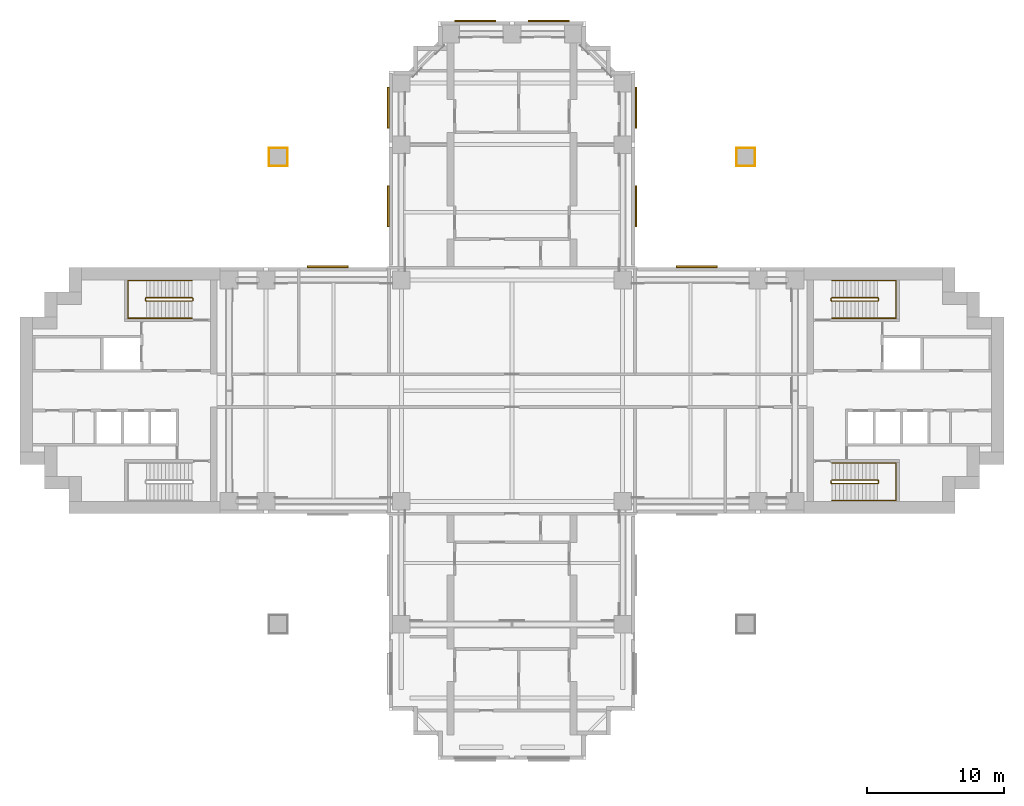
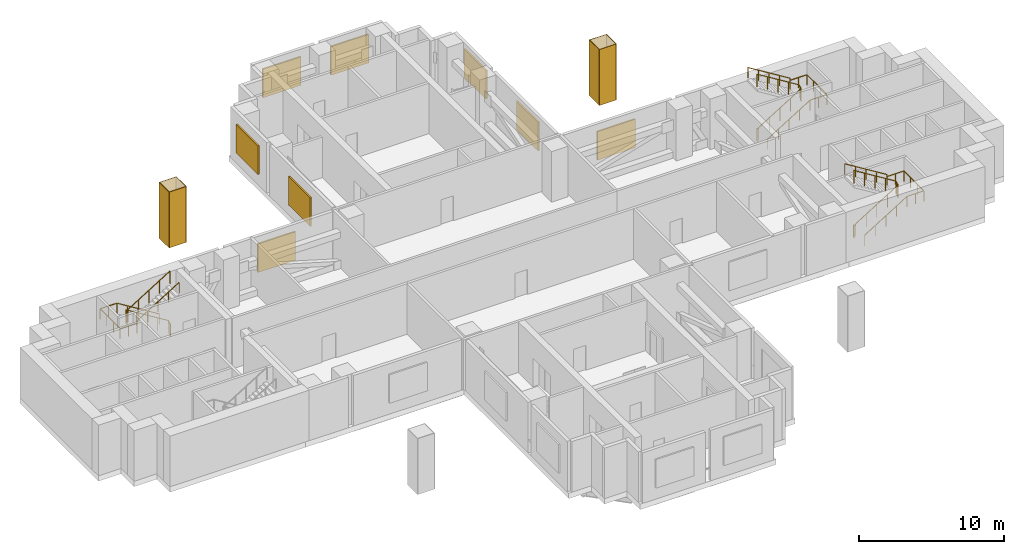
# One storey, part 10 of 10: 8 coverings, 8 shading devices, 6 railings.
"""IFC4 building model written with IfcOpenShell, lengths in metres."""

import ifcopenshell
import ifcopenshell.guid

model = None  # the IFC model being written
_history = None  # IfcOwnerHistory: only IFC2X3 demands one
_inside = {}  # id of a spatial element -> (the spatial element, [elements in it])
_under = {}  # id of a project, library or spatial element -> (it, [spatial elements below it])
_declared = {}  # id of a project -> (the project, [libraries it declares])
_typed = {}  # id of a type object -> (the type object, [elements of that type])
_made_of = {}  # id of a material, layer set ... -> (it, [elements and type objects made of it])


def new_model(schema):
    """Start an empty IFC model of exactly this schema.

    Asked for "IFC4X3", IfcOpenShell would pick the latest addendum, in which some entities
    have other attributes; the version numbers below select the first issue.
    IFC2X3 requires an IfcOwnerHistory on every rooted entity: one is made here for all.
    """
    global model, _history
    if schema == "IFC4X3":
        model = ifcopenshell.file(schema_version=(4, 3, 0, 0))
    else:
        model = ifcopenshell.file(schema=schema)
    _inside.clear()
    _under.clear()
    _declared.clear()
    _typed.clear()
    _made_of.clear()
    _history = None
    if model.schema == "IFC2X3":
        org = make("IfcOrganization", Name="unknown")
        user = make(
            "IfcPersonAndOrganization",
            ThePerson=make("IfcPerson", FamilyName="unknown"),
            TheOrganization=org,
        )
        app = make(
            "IfcApplication",
            ApplicationDeveloper=org,
            Version="unknown",
            ApplicationFullName="unknown",
            ApplicationIdentifier="unknown",
        )
        _history = make(
            "IfcOwnerHistory",
            OwningUser=user,
            OwningApplication=app,
            ChangeAction="ADDED",
            CreationDate=0,
        )
    return model


def make(cls, **values):
    """One entity of the class cls with the attributes given. An attribute that is None is left unset."""
    return model.create_entity(
        cls, **{name: value for name, value in values.items() if value is not None}
    )


def rooted(cls, **values):
    """An entity with a GlobalId (a new one), such as an element, a storey or a relation."""
    return make(cls, GlobalId=ifcopenshell.guid.new(), OwnerHistory=_history, **values)


def si_unit(unit_type, name, prefix=None):
    """IfcSIUnit, for example si_unit("LENGTHUNIT", "METRE", prefix="MILLI")."""
    return make("IfcSIUnit", UnitType=unit_type, Prefix=prefix, Name=name)


def assignment(units):
    """IfcUnitAssignment: the units of a project."""
    return None if units is None else make("IfcUnitAssignment", Units=units)


def point(xyz):
    """IfcCartesianPoint."""
    return None if xyz is None else make("IfcCartesianPoint", Coordinates=xyz)


def direction(xyz):
    """IfcDirection."""
    return None if xyz is None else make("IfcDirection", DirectionRatios=xyz)


def frame(location, z_axis=None, x_axis=None):
    """IfcAxis2Placement3D, a coordinate frame: its origin and axes. An axis left out is left unset."""
    return make(
        "IfcAxis2Placement3D",
        Location=point(location),
        Axis=direction(z_axis),
        RefDirection=direction(x_axis),
    )


def frame_2d(location, x_axis=None):
    """IfcAxis2Placement2D, a coordinate frame in the plane: its origin and x axis."""
    return make(
        "IfcAxis2Placement2D", Location=point(location), RefDirection=direction(x_axis)
    )


def origin():
    """The frame at (0, 0, 0) with its axes left unset."""
    return frame((0.0, 0.0, 0.0))


def origin_2d():
    """The frame at (0, 0) in the plane with its x axis left unset."""
    return frame_2d((0.0, 0.0))


def place(relative_to, where):
    """IfcLocalPlacement: puts the frame where relative to a parent placement (None: the world)."""
    return make(
        "IfcLocalPlacement", PlacementRelTo=relative_to, RelativePlacement=where
    )


def context(
    kind, dimensions, precision=None, world=None, true_north=None, identifier=None
):
    """IfcGeometricRepresentationContext, for example the 3D "Model" context."""
    return make(
        "IfcGeometricRepresentationContext",
        ContextIdentifier=identifier,
        ContextType=kind,
        CoordinateSpaceDimension=dimensions,
        Precision=precision,
        WorldCoordinateSystem=world,
        TrueNorth=true_north,
    )


def subcontext(parent, identifier, kind, view, scale=None):
    """IfcGeometricRepresentationSubContext, for example "Body" below "Model"."""
    return make(
        "IfcGeometricRepresentationSubContext",
        ContextIdentifier=identifier,
        ContextType=kind,
        ParentContext=parent,
        TargetScale=scale,
        TargetView=view,
    )


def project(units=None, contexts=None):
    """IfcProject with its units and contexts."""
    return rooted(
        "IfcProject",
        Name="project",
        RepresentationContexts=contexts,
        UnitsInContext=assignment(units),
    )


def spatial(cls, under=None, at=None, **own):
    """A site, building, storey or space (cls), placed at a placement, below another one or the project."""
    s = rooted(cls, ObjectPlacement=at, **own)
    if under is not None:
        _under.setdefault(under.id(), (under, []))[1].append(s)
    return s


def profile(cls, at=None, kind="AREA", **sizes):
    """A parametric profile (cls). Its sizes go by their IFC names, for example OverallWidth=200.0."""
    return make(cls, ProfileType=kind, Position=at, **sizes)


def rectangle(**sizes):
    """IfcRectangleProfileDef."""
    return profile("IfcRectangleProfileDef", **sizes)


def extrude(swept, where, along, depth):
    """IfcExtrudedAreaSolid: the profile swept, set in the frame where, extruded along a direction by depth."""
    return make(
        "IfcExtrudedAreaSolid",
        SweptArea=swept,
        Position=where,
        ExtrudedDirection=direction(along),
        Depth=depth,
    )


def shape(context_of_items, identifier, shape_type, items):
    """IfcShapeRepresentation: the items that make up one representation, for example the "Body"."""
    return make(
        "IfcShapeRepresentation",
        ContextOfItems=context_of_items,
        RepresentationIdentifier=identifier,
        RepresentationType=shape_type,
        Items=items,
    )


def material(Name=None, Category=None):
    """IfcMaterial."""
    return make("IfcMaterial", Name=Name, Category=Category)


def layer(
    of_material, thickness, ventilated=None, Name=None, Category=None, Priority=None
):
    """IfcMaterialLayer: one layer of a wall or slab, of a material (None: an air gap)."""
    return make(
        "IfcMaterialLayer",
        Material=of_material,
        LayerThickness=thickness,
        IsVentilated=ventilated,
        Name=Name,
        Category=Category,
        Priority=Priority,
    )


def layer_set(layers, Name=None):
    """IfcMaterialLayerSet."""
    return make("IfcMaterialLayerSet", MaterialLayers=layers, LayerSetName=Name)


def made_of(thing, what):
    """Note that an element or type object is made of a material, layer set ...; save() writes the relation."""
    if what is not None:
        _made_of.setdefault(what.id(), (what, []))[1].append(thing)
    return thing


def type_object(cls, material=None, **own):
    """A type object (cls), such as IfcWallType, which elements share."""
    return made_of(rooted(cls, **own), material)


def element(
    cls,
    number,
    at=None,
    inside=None,
    cuts=None,
    type_object=None,
    material=None,
    context=None,
    identifier="Body",
    shape_type=None,
    held_by="IfcProductDefinitionShape",
    body=None,
    shapes=None,
    **own,
):
    """One element of the class cls, such as IfcWall. Its Tag is "e" and its number.

    at: its placement. inside: the storey or other place that contains it. cuts: it is an
    opening in that element (IfcRelVoidsElement). A single representation is given by context,
    identifier, shape_type and body (its items); several are given by shapes. held_by: the class
    of the entity that holds the representations. save() writes the other relations.
    """
    e = rooted(cls, Tag="e%d" % number, ObjectPlacement=at, **own)
    if body is not None:
        shapes = [shape(context, identifier, shape_type, body)]
    if shapes is not None:
        e.Representation = make(held_by, Representations=shapes)
    if inside is not None:
        _inside.setdefault(inside.id(), (inside, []))[1].append(e)
    if cuts is not None:
        rooted(
            "IfcRelVoidsElement", RelatingBuildingElement=cuts, RelatedOpeningElement=e
        )
    if type_object is not None:
        _typed.setdefault(type_object.id(), (type_object, []))[1].append(e)
    return made_of(e, material)


def aggregate(whole, parts):
    """IfcRelAggregates: a whole, such as a stair, and the parts it consists of."""
    return rooted("IfcRelAggregates", RelatingObject=whole, RelatedObjects=parts)


def save(model, path):
    """Write the relations noted so far, then the file.

    IfcRelAggregates (storeys below a building ...), IfcRelContainedInSpatialStructure (elements
    in a storey), IfcRelDefinesByType, IfcRelAssociatesMaterial and IfcRelDeclares: one each for
    every whole, place, type object, material and project.
    """
    for whole, parts in _under.values():
        aggregate(whole, parts)
    for where, things in _inside.values():
        rooted(
            "IfcRelContainedInSpatialStructure",
            RelatedElements=things,
            RelatingStructure=where,
        )
    for kind, things in _typed.values():
        rooted("IfcRelDefinesByType", RelatedObjects=things, RelatingType=kind)
    for what, things in _made_of.values():
        rooted("IfcRelAssociatesMaterial", RelatedObjects=things, RelatingMaterial=what)
    for by, libraries in _declared.values():
        rooted("IfcRelDeclares", RelatingContext=by, RelatedDefinitions=libraries)
    model.write(path)


model = new_model("IFC4")

# Units and contexts
model_context = context("Model", 3, precision=1e-05, world=origin(), true_north=direction((0.0, 1.0)))
body_context = subcontext(model_context, "Body", "Model", "MODEL_VIEW")
ifc_project = project(units=[si_unit("LENGTHUNIT", "METRE"), si_unit("AREAUNIT", "SQUARE_METRE"), si_unit("VOLUMEUNIT", "CUBIC_METRE"), si_unit("PLANEANGLEUNIT", "RADIAN"), si_unit("MASSUNIT", "GRAM", prefix="KILO")], contexts=[model_context])

# Site, building, storey
site_placement = place(None, origin())
site = spatial("IfcSite", under=ifc_project, at=site_placement, CompositionType="ELEMENT")
building_placement = place(site_placement, origin())
building = spatial("IfcBuilding", under=site, at=building_placement, Name="Perihelion Cross Residences", CompositionType="ELEMENT")
storey_placement = place(building_placement, frame((0.0, 0.0, 97.89990234375)))
storey = spatial("IfcBuildingStorey", under=building, at=storey_placement, Name="L22", CompositionType="ELEMENT", Elevation=97.89990234375)

# Coverings
ifc_material_1 = material(Name="Bronze anodised aluminium", Category="aluminium")
ifc_layer_1 = layer(ifc_material_1, 0.0400390625)
ifc_layer_set_1 = layer_set([ifc_layer_1], Name="Bronze column casing 40")
covering_type = type_object("IfcCoveringType", Name="Bronze column casing 40", PredefinedType="CLADDING", material=ifc_layer_set_1)
covering_1_placement = place(storey_placement, frame((-17.77001953125, 17.10009765625, -0.44970703125), z_axis=(0.0, 0.0, 1.0), x_axis=(1.0, 0.0, 0.0)))
element("IfcCovering", 1, at=covering_1_placement, inside=storey, type_object=covering_type, Name="Cladding CC1 L22 casing east-west no. 2", PredefinedType="CLADDING", context=body_context, shape_type="SweptSolid", body=[
    extrude(rectangle(XDim=0.0400390625, YDim=1.3798828125, at=origin_2d()), origin(), (0.0, 0.0, 1.0), 4.699951171875),
])
covering_2_placement = place(storey_placement, frame((-17.10009765625, 17.77001953125, -0.44970703125), z_axis=(0.0, 0.0, 1.0), x_axis=(1.0, 0.0, 0.0)))
element("IfcCovering", 2, at=covering_2_placement, inside=storey, type_object=covering_type, Name="Cladding CC1 L22 casing north-south no. 2", PredefinedType="CLADDING", context=body_context, shape_type="SweptSolid", body=[
    extrude(rectangle(XDim=1.300048828125, YDim=0.0400390625, at=origin_2d()), origin(), (0.0, 0.0, 1.0), 4.699951171875),
])
covering_3_placement = place(storey_placement, frame((-16.429931640625, 17.10009765625, -0.44970703125), z_axis=(0.0, 0.0, 1.0), x_axis=(1.0, 0.0, 0.0)))
element("IfcCovering", 3, at=covering_3_placement, inside=storey, type_object=covering_type, Name="Cladding CC1 L22 casing inner east-west no. 2", PredefinedType="CLADDING", context=body_context, shape_type="SweptSolid", body=[
    extrude(rectangle(XDim=0.0400390625, YDim=1.3798828125, at=origin_2d()), origin(), (0.0, 0.0, 1.0), 4.699951171875),
])
covering_4_placement = place(storey_placement, frame((-17.10009765625, 16.429931640625, -0.44970703125), z_axis=(0.0, 0.0, 1.0), x_axis=(1.0, 0.0, 0.0)))
element("IfcCovering", 4, at=covering_4_placement, inside=storey, type_object=covering_type, Name="Cladding CC1 L22 casing inner north-south no. 2", PredefinedType="CLADDING", context=body_context, shape_type="SweptSolid", body=[
    extrude(rectangle(XDim=1.300048828125, YDim=0.0400390625, at=origin_2d()), origin(), (0.0, 0.0, 1.0), 4.699951171875),
])
covering_5_placement = place(storey_placement, frame((17.77001953125, 17.10009765625, -0.44970703125), z_axis=(0.0, 0.0, 1.0), x_axis=(1.0, 0.0, 0.0)))
element("IfcCovering", 5, at=covering_5_placement, inside=storey, type_object=covering_type, Name="Cladding CC1 L22 casing east-west no. 4", PredefinedType="CLADDING", context=body_context, shape_type="SweptSolid", body=[
    extrude(rectangle(XDim=0.0400390625, YDim=1.3798828125, at=origin_2d()), origin(), (0.0, 0.0, 1.0), 4.699951171875),
])
covering_6_placement = place(storey_placement, frame((17.10009765625, 17.77001953125, -0.44970703125), z_axis=(0.0, 0.0, 1.0), x_axis=(1.0, 0.0, 0.0)))
element("IfcCovering", 6, at=covering_6_placement, inside=storey, type_object=covering_type, Name="Cladding CC1 L22 casing north-south no. 4", PredefinedType="CLADDING", context=body_context, shape_type="SweptSolid", body=[
    extrude(rectangle(XDim=1.300048828125, YDim=0.0400390625, at=origin_2d()), origin(), (0.0, 0.0, 1.0), 4.699951171875),
])
covering_7_placement = place(storey_placement, frame((16.429931640625, 17.10009765625, -0.44970703125), z_axis=(0.0, 0.0, 1.0), x_axis=(1.0, 0.0, 0.0)))
element("IfcCovering", 7, at=covering_7_placement, inside=storey, type_object=covering_type, Name="Cladding CC1 L22 casing inner east-west no. 4", PredefinedType="CLADDING", context=body_context, shape_type="SweptSolid", body=[
    extrude(rectangle(XDim=0.0400390625, YDim=1.3798828125, at=origin_2d()), origin(), (0.0, 0.0, 1.0), 4.699951171875),
])
covering_8_placement = place(storey_placement, frame((17.10009765625, 16.429931640625, -0.44970703125), z_axis=(0.0, 0.0, 1.0), x_axis=(1.0, 0.0, 0.0)))
element("IfcCovering", 8, at=covering_8_placement, inside=storey, type_object=covering_type, Name="Cladding CC1 L22 casing inner north-south no. 4", PredefinedType="CLADDING", context=body_context, shape_type="SweptSolid", body=[
    extrude(rectangle(XDim=1.300048828125, YDim=0.0400390625, at=origin_2d()), origin(), (0.0, 0.0, 1.0), 4.699951171875),
])

# Shading devices
ifc_material_2 = material(Name="Bronze anodised aluminium", Category="aluminium")
ifc_layer_2 = layer(ifc_material_2, 0.1201171875)
ifc_layer_set_2 = layer_set([ifc_layer_2], Name="Louvre panel")
shading_device_type = type_object("IfcShadingDeviceType", Name="Louvre panel", PredefinedType="USERDEFINED", material=ifc_layer_set_2)
for number, where, z_axis, x_axis, name in (
    (9, (13.5, 9.06005859375, 1.000244140625), (0.0, 0.0, 1.0), (-1.0, 0.0, 0.0), "Louvre LV1 L22 east side north bay 2"),
    (10, (9.06005859375, 13.5, 1.000244140625), (0.0, 0.0, 1.0), (0.0, 1.0, 0.0), "Louvre LV1 L22 north side east bay 1"),
    (11, (9.06005859375, 20.699951171875, 1.000244140625), (0.0, 0.0, 1.0), (0.0, 1.0, 0.0), "Louvre LV1 L22 north side east bay 2"),
    (12, (2.699951171875, 27.06005859375, 1.000244140625), (0.0, 0.0, 1.0), (-1.0, 0.0, 0.0), "Louvre LV1 L22 north tip north bay 1"),
    (13, (-2.699951171875, 27.06005859375, 1.000244140625), (0.0, 0.0, 1.0), (-1.0, 0.0, 0.0), "Louvre LV1 L22 north tip north bay 2"),
    (14, (-9.06005859375, 20.699951171875, 1.000244140625), (0.0, 0.0, 1.0), (0.0, -1.0, 0.0), "Louvre LV1 L22 north side west bay 1"),
    (15, (-9.06005859375, 13.5, 1.000244140625), (0.0, 0.0, 1.0), (0.0, -1.0, 0.0), "Louvre LV1 L22 north side west bay 2"),
    (16, (-13.5, 9.06005859375, 1.000244140625), (0.0, 0.0, 1.0), (-1.0, 0.0, 0.0), "Louvre LV1 L22 west side north bay 1"),
):
    element("IfcShadingDevice", number, at=place(storey_placement, frame(where, z_axis=z_axis, x_axis=x_axis)), inside=storey, type_object=shading_device_type, Name=name, ObjectType="LOUVRE", PredefinedType="USERDEFINED", context=body_context, shape_type="SweptSolid", body=[
        extrude(rectangle(XDim=3.0, YDim=0.1201171875, at=origin_2d()), origin(), (0.0, 0.0, 1.0), 2.39990234375),
    ])

# Railings
ifc_material_3 = material(Name="Stainless steel", Category="steel")
railing_type_1 = type_object("IfcRailingType", Name="Stair guard 1100", PredefinedType="GUARDRAIL", material=ifc_material_3)
railing_1_placement = place(storey_placement, frame((23.35009765625, 6.75, 0.0)))
element("IfcRailing", 17, at=railing_1_placement, inside=storey, type_object=railing_type_1, Name="L22 ST-E1 stair guard 1", PredefinedType="GUARDRAIL", context=body_context, shape_type="SweptSolid", body=[
    extrude(rectangle(XDim=0.048095703125, YDim=0.048095703125, at=origin_2d()), frame((0.0, 0.0, 1.076171875), z_axis=(0.0, -1.0, 0.0), x_axis=(1.0, 0.0, 0.0)), (0.0, 0.0, 1.0), 0.14990234375),
    extrude(rectangle(XDim=0.048095703125, YDim=0.048095703125, at=origin_2d()), frame((0.0, -0.14990234375, 1.076171875), z_axis=(0.266417085129, -0.267723051232, 0.925929967433), x_axis=(0.708833529934, 0.705375805398, 0.0)), (0.0, 0.0, 1.0), 0.18701171875),
    extrude(rectangle(XDim=0.048095703125, YDim=0.048095703125, at=origin_2d()), frame((0.0498046875, -0.199951171875, 1.2490234375), z_axis=(0.850623216509, 0.0, 0.525775754039), x_axis=(0.0, 1.0, 0.0)), (0.0, 0.0, 1.0), 3.9501953125),
    extrude(rectangle(XDim=0.048095703125, YDim=0.048095703125, at=origin_2d()), frame((3.409912109375, -0.199951171875, 3.326171875), z_axis=(0.707106781187, 0.707106781187, 0.0), x_axis=(-0.707106781187, 0.707106781187, 0.0)), (0.0, 0.0, 1.0), 0.07080078125),
    extrude(rectangle(XDim=0.048095703125, YDim=0.048095703125, at=origin_2d()), frame((3.4599609375, -0.14990234375, 3.326171875), z_axis=(0.0, 1.0, 0.0), x_axis=(-1.0, 0.0, 0.0)), (0.0, 0.0, 1.0), 0.14990234375),
    extrude(rectangle(XDim=0.048095703125, YDim=0.048095703125, at=origin_2d()), frame((3.4599609375, 0.0, 3.326171875), z_axis=(-0.267629722418, 0.267629722418, 0.925607186314), x_axis=(-0.707106781187, -0.707106781187, 0.0)), (0.0, 0.0, 1.0), 0.18701171875),
    extrude(rectangle(XDim=0.048095703125, YDim=0.048095703125, at=origin_2d()), frame((3.409912109375, 0.050048828125, 3.4990234375), z_axis=(-0.850623216509, 0.0, 0.525775754039), x_axis=(0.0, -1.0, 0.0)), (0.0, 0.0, 1.0), 3.9501953125),
    extrude(rectangle(XDim=0.0419921875, YDim=0.0419921875, at=origin_2d()), origin(), (0.0, 0.0, 1.0), 1.052001953125),
    extrude(rectangle(XDim=0.0419921875, YDim=0.0419921875, at=origin_2d()), frame((0.0, -0.14990234375, 0.0)), (0.0, 0.0, 1.0), 1.052001953125),
    extrude(rectangle(XDim=0.0419921875, YDim=0.0419921875, at=origin_2d()), frame((0.0498046875, -0.199951171875, 0.173095703125)), (0.0, 0.0, 1.0), 1.052001953125),
    extrude(rectangle(XDim=0.0419921875, YDim=0.0419921875, at=origin_2d()), frame((0.889892578125, -0.199951171875, 0.6923828125)), (0.0, 0.0, 1.0), 1.052001953125),
    extrude(rectangle(XDim=0.0419921875, YDim=0.0419921875, at=origin_2d()), frame((1.72998046875, -0.199951171875, 1.21142578125)), (0.0, 0.0, 1.0), 1.052001953125),
    extrude(rectangle(XDim=0.0419921875, YDim=0.0419921875, at=origin_2d()), frame((2.56982421875, -0.199951171875, 1.730712890625)), (0.0, 0.0, 1.0), 1.052001953125),
    extrude(rectangle(XDim=0.0419921875, YDim=0.0419921875, at=origin_2d()), frame((3.409912109375, -0.199951171875, 2.25)), (0.0, 0.0, 1.0), 1.052001953125),
    extrude(rectangle(XDim=0.0419921875, YDim=0.0419921875, at=origin_2d()), frame((3.4599609375, -0.14990234375, 2.25)), (0.0, 0.0, 1.0), 1.052001953125),
    extrude(rectangle(XDim=0.0419921875, YDim=0.0419921875, at=origin_2d()), frame((3.4599609375, 0.0, 2.25)), (0.0, 0.0, 1.0), 1.052001953125),
    extrude(rectangle(XDim=0.0419921875, YDim=0.0419921875, at=origin_2d()), frame((3.409912109375, 0.050048828125, 2.423095703125)), (0.0, 0.0, 1.0), 1.052001953125),
    extrude(rectangle(XDim=0.0419921875, YDim=0.0419921875, at=origin_2d()), frame((2.56982421875, 0.050048828125, 2.9423828125)), (0.0, 0.0, 1.0), 1.052001953125),
    extrude(rectangle(XDim=0.0419921875, YDim=0.0419921875, at=origin_2d()), frame((1.72998046875, 0.050048828125, 3.46142578125)), (0.0, 0.0, 1.0), 1.052001953125),
    extrude(rectangle(XDim=0.0419921875, YDim=0.0419921875, at=origin_2d()), frame((0.889892578125, 0.050048828125, 3.980712890625)), (0.0, 0.0, 1.0), 1.052001953125),
    extrude(rectangle(XDim=0.0419921875, YDim=0.0419921875, at=origin_2d()), frame((0.0498046875, 0.050048828125, 4.5)), (0.0, 0.0, 1.0), 1.052001953125),
])
railing_2_placement = place(storey_placement, frame((23.35009765625, -6.60009765625, 0.0)))
element("IfcRailing", 18, at=railing_2_placement, inside=storey, type_object=railing_type_1, Name="L22 ST-E2 stair guard 1", PredefinedType="GUARDRAIL", context=body_context, shape_type="SweptSolid", body=[
    extrude(rectangle(XDim=0.048095703125, YDim=0.048095703125, at=origin_2d()), frame((0.0, 0.0, 1.076171875), z_axis=(0.0, -1.0, 0.0), x_axis=(1.0, 0.0, 0.0)), (0.0, 0.0, 1.0), 0.14990234375),
    extrude(rectangle(XDim=0.048095703125, YDim=0.048095703125, at=origin_2d()), frame((0.0, -0.14990234375, 1.076171875), z_axis=(0.266417085129, -0.267723051232, 0.925929967433), x_axis=(0.708833529934, 0.705375805398, 0.0)), (0.0, 0.0, 1.0), 0.18701171875),
    extrude(rectangle(XDim=0.048095703125, YDim=0.048095703125, at=origin_2d()), frame((0.0498046875, -0.199951171875, 1.2490234375), z_axis=(0.850623216509, 0.0, 0.525775754039), x_axis=(0.0, 1.0, 0.0)), (0.0, 0.0, 1.0), 3.9501953125),
    extrude(rectangle(XDim=0.048095703125, YDim=0.048095703125, at=origin_2d()), frame((3.409912109375, -0.199951171875, 3.326171875), z_axis=(0.707106781187, 0.707106781187, 0.0), x_axis=(-0.707106781187, 0.707106781187, 0.0)), (0.0, 0.0, 1.0), 0.07080078125),
    extrude(rectangle(XDim=0.048095703125, YDim=0.048095703125, at=origin_2d()), frame((3.4599609375, -0.14990234375, 3.326171875), z_axis=(0.0, 1.0, 0.0), x_axis=(-1.0, 0.0, 0.0)), (0.0, 0.0, 1.0), 0.14990234375),
    extrude(rectangle(XDim=0.048095703125, YDim=0.048095703125, at=origin_2d()), frame((3.4599609375, 0.0, 3.326171875), z_axis=(-0.267629722418, 0.267629722418, 0.925607186314), x_axis=(-0.707106781187, -0.707106781187, 0.0)), (0.0, 0.0, 1.0), 0.18701171875),
    extrude(rectangle(XDim=0.048095703125, YDim=0.048095703125, at=origin_2d()), frame((3.409912109375, 0.050048828125, 3.4990234375), z_axis=(-0.850623216509, 0.0, 0.525775754039), x_axis=(0.0, -1.0, 0.0)), (0.0, 0.0, 1.0), 3.9501953125),
    extrude(rectangle(XDim=0.0419921875, YDim=0.0419921875, at=origin_2d()), origin(), (0.0, 0.0, 1.0), 1.052001953125),
    extrude(rectangle(XDim=0.0419921875, YDim=0.0419921875, at=origin_2d()), frame((0.0, -0.14990234375, 0.0)), (0.0, 0.0, 1.0), 1.052001953125),
    extrude(rectangle(XDim=0.0419921875, YDim=0.0419921875, at=origin_2d()), frame((0.0498046875, -0.199951171875, 0.173095703125)), (0.0, 0.0, 1.0), 1.052001953125),
    extrude(rectangle(XDim=0.0419921875, YDim=0.0419921875, at=origin_2d()), frame((0.889892578125, -0.199951171875, 0.6923828125)), (0.0, 0.0, 1.0), 1.052001953125),
    extrude(rectangle(XDim=0.0419921875, YDim=0.0419921875, at=origin_2d()), frame((1.72998046875, -0.199951171875, 1.21142578125)), (0.0, 0.0, 1.0), 1.052001953125),
    extrude(rectangle(XDim=0.0419921875, YDim=0.0419921875, at=origin_2d()), frame((2.56982421875, -0.199951171875, 1.730712890625)), (0.0, 0.0, 1.0), 1.052001953125),
    extrude(rectangle(XDim=0.0419921875, YDim=0.0419921875, at=origin_2d()), frame((3.409912109375, -0.199951171875, 2.25)), (0.0, 0.0, 1.0), 1.052001953125),
    extrude(rectangle(XDim=0.0419921875, YDim=0.0419921875, at=origin_2d()), frame((3.4599609375, -0.14990234375, 2.25)), (0.0, 0.0, 1.0), 1.052001953125),
    extrude(rectangle(XDim=0.0419921875, YDim=0.0419921875, at=origin_2d()), frame((3.4599609375, 0.0, 2.25)), (0.0, 0.0, 1.0), 1.052001953125),
    extrude(rectangle(XDim=0.0419921875, YDim=0.0419921875, at=origin_2d()), frame((3.409912109375, 0.050048828125, 2.423095703125)), (0.0, 0.0, 1.0), 1.052001953125),
    extrude(rectangle(XDim=0.0419921875, YDim=0.0419921875, at=origin_2d()), frame((2.56982421875, 0.050048828125, 2.9423828125)), (0.0, 0.0, 1.0), 1.052001953125),
    extrude(rectangle(XDim=0.0419921875, YDim=0.0419921875, at=origin_2d()), frame((1.72998046875, 0.050048828125, 3.46142578125)), (0.0, 0.0, 1.0), 1.052001953125),
    extrude(rectangle(XDim=0.0419921875, YDim=0.0419921875, at=origin_2d()), frame((0.889892578125, 0.050048828125, 3.980712890625)), (0.0, 0.0, 1.0), 1.052001953125),
    extrude(rectangle(XDim=0.0419921875, YDim=0.0419921875, at=origin_2d()), frame((0.0498046875, 0.050048828125, 4.5)), (0.0, 0.0, 1.0), 1.052001953125),
])
railing_3_placement = place(storey_placement, frame((-23.35009765625, 6.60009765625, 0.0)))
element("IfcRailing", 19, at=railing_3_placement, inside=storey, type_object=railing_type_1, Name="L22 ST-W1 stair guard 1", PredefinedType="GUARDRAIL", context=body_context, shape_type="SweptSolid", body=[
    extrude(rectangle(XDim=0.048095703125, YDim=0.048095703125, at=origin_2d()), frame((0.0, 0.0, 1.076171875), z_axis=(0.0, 1.0, 0.0), x_axis=(-1.0, 0.0, 0.0)), (0.0, 0.0, 1.0), 0.14990234375),
    extrude(rectangle(XDim=0.048095703125, YDim=0.048095703125, at=origin_2d()), frame((0.0, 0.14990234375, 1.076171875), z_axis=(-0.266417085129, 0.267723051232, 0.925929967433), x_axis=(-0.708833529934, -0.705375805398, 0.0)), (0.0, 0.0, 1.0), 0.18701171875),
    extrude(rectangle(XDim=0.048095703125, YDim=0.048095703125, at=origin_2d()), frame((-0.0498046875, 0.199951171875, 1.2490234375), z_axis=(-0.850623216509, 0.0, 0.525775754039), x_axis=(0.0, -1.0, 0.0)), (0.0, 0.0, 1.0), 3.9501953125),
    extrude(rectangle(XDim=0.048095703125, YDim=0.048095703125, at=origin_2d()), frame((-3.409912109375, 0.199951171875, 3.326171875), z_axis=(-0.707106781187, -0.707106781187, 0.0), x_axis=(0.707106781187, -0.707106781187, 0.0)), (0.0, 0.0, 1.0), 0.07080078125),
    extrude(rectangle(XDim=0.048095703125, YDim=0.048095703125, at=origin_2d()), frame((-3.4599609375, 0.14990234375, 3.326171875), z_axis=(0.0, -1.0, 0.0), x_axis=(1.0, 0.0, 0.0)), (0.0, 0.0, 1.0), 0.14990234375),
    extrude(rectangle(XDim=0.048095703125, YDim=0.048095703125, at=origin_2d()), frame((-3.4599609375, 0.0, 3.326171875), z_axis=(0.267629722418, -0.267629722418, 0.925607186314), x_axis=(0.707106781187, 0.707106781187, 0.0)), (0.0, 0.0, 1.0), 0.18701171875),
    extrude(rectangle(XDim=0.048095703125, YDim=0.048095703125, at=origin_2d()), frame((-3.409912109375, -0.050048828125, 3.4990234375), z_axis=(0.850623216509, 0.0, 0.525775754039), x_axis=(0.0, 1.0, 0.0)), (0.0, 0.0, 1.0), 3.9501953125),
    extrude(rectangle(XDim=0.0419921875, YDim=0.0419921875, at=origin_2d()), origin(), (0.0, 0.0, 1.0), 1.052001953125),
    extrude(rectangle(XDim=0.0419921875, YDim=0.0419921875, at=origin_2d()), frame((0.0, 0.14990234375, 0.0)), (0.0, 0.0, 1.0), 1.052001953125),
    extrude(rectangle(XDim=0.0419921875, YDim=0.0419921875, at=origin_2d()), frame((-0.0498046875, 0.199951171875, 0.173095703125)), (0.0, 0.0, 1.0), 1.052001953125),
    extrude(rectangle(XDim=0.0419921875, YDim=0.0419921875, at=origin_2d()), frame((-0.889892578125, 0.199951171875, 0.6923828125)), (0.0, 0.0, 1.0), 1.052001953125),
    extrude(rectangle(XDim=0.0419921875, YDim=0.0419921875, at=origin_2d()), frame((-1.72998046875, 0.199951171875, 1.21142578125)), (0.0, 0.0, 1.0), 1.052001953125),
    extrude(rectangle(XDim=0.0419921875, YDim=0.0419921875, at=origin_2d()), frame((-2.56982421875, 0.199951171875, 1.730712890625)), (0.0, 0.0, 1.0), 1.052001953125),
    extrude(rectangle(XDim=0.0419921875, YDim=0.0419921875, at=origin_2d()), frame((-3.409912109375, 0.199951171875, 2.25)), (0.0, 0.0, 1.0), 1.052001953125),
    extrude(rectangle(XDim=0.0419921875, YDim=0.0419921875, at=origin_2d()), frame((-3.4599609375, 0.14990234375, 2.25)), (0.0, 0.0, 1.0), 1.052001953125),
    extrude(rectangle(XDim=0.0419921875, YDim=0.0419921875, at=origin_2d()), frame((-3.4599609375, 0.0, 2.25)), (0.0, 0.0, 1.0), 1.052001953125),
    extrude(rectangle(XDim=0.0419921875, YDim=0.0419921875, at=origin_2d()), frame((-3.409912109375, -0.050048828125, 2.423095703125)), (0.0, 0.0, 1.0), 1.052001953125),
    extrude(rectangle(XDim=0.0419921875, YDim=0.0419921875, at=origin_2d()), frame((-2.56982421875, -0.050048828125, 2.9423828125)), (0.0, 0.0, 1.0), 1.052001953125),
    extrude(rectangle(XDim=0.0419921875, YDim=0.0419921875, at=origin_2d()), frame((-1.72998046875, -0.050048828125, 3.46142578125)), (0.0, 0.0, 1.0), 1.052001953125),
    extrude(rectangle(XDim=0.0419921875, YDim=0.0419921875, at=origin_2d()), frame((-0.889892578125, -0.050048828125, 3.980712890625)), (0.0, 0.0, 1.0), 1.052001953125),
    extrude(rectangle(XDim=0.0419921875, YDim=0.0419921875, at=origin_2d()), frame((-0.0498046875, -0.050048828125, 4.5)), (0.0, 0.0, 1.0), 1.052001953125),
])
ifc_material_4 = material(Name="Stainless steel", Category="steel")
railing_type_2 = type_object("IfcRailingType", Name="Stair handrail 900", PredefinedType="HANDRAIL", material=ifc_material_4)
railing_4_placement = place(storey_placement, frame((23.39990234375, 5.300048828125, 0.173095703125)))
element("IfcRailing", 20, at=railing_4_placement, inside=storey, type_object=railing_type_2, Name="L22 ST-E1 stair handrail 1", PredefinedType="HANDRAIL", context=body_context, shape_type="SweptSolid", body=[
    extrude(rectangle(XDim=0.048095703125, YDim=0.048095703125, at=origin_2d()), frame((0.0, 0.0, 0.8759765625), z_axis=(0.850623216509, 0.0, 0.525775754039), x_axis=(0.0, 1.0, 0.0)), (0.0, 0.0, 1.0), 3.9501953125),
    extrude(rectangle(XDim=0.048095703125, YDim=0.048095703125, at=origin_2d()), frame((3.360107421875, 0.0, 2.95263671875), z_axis=(1.0, 0.0, 0.0), x_axis=(0.0, 1.0, 0.0)), (0.0, 0.0, 1.0), 1.340087890625),
    extrude(rectangle(XDim=0.048095703125, YDim=0.048095703125, at=origin_2d()), frame((4.7001953125, 0.0, 2.95263671875), z_axis=(0.0, 1.0, 0.0), x_axis=(-1.0, 0.0, 0.0)), (0.0, 0.0, 1.0), 2.75),
    extrude(rectangle(XDim=0.048095703125, YDim=0.048095703125, at=origin_2d()), frame((4.7001953125, 2.75, 2.95263671875), z_axis=(-1.0, 0.0, 0.0), x_axis=(0.0, -1.0, 0.0)), (0.0, 0.0, 1.0), 1.340087890625),
    extrude(rectangle(XDim=0.048095703125, YDim=0.048095703125, at=origin_2d()), frame((3.360107421875, 2.75, 2.95263671875), z_axis=(0.0, 0.0, 1.0), x_axis=(1.0, 0.0, 0.0)), (0.0, 0.0, 1.0), 0.173095703125),
    extrude(rectangle(XDim=0.048095703125, YDim=0.048095703125, at=origin_2d()), frame((3.360107421875, 2.75, 3.1259765625), z_axis=(-0.850623216509, 0.0, 0.525775754039), x_axis=(0.0, -1.0, 0.0)), (0.0, 0.0, 1.0), 3.9501953125),
    extrude(rectangle(XDim=0.0419921875, YDim=0.0419921875, at=origin_2d()), origin(), (0.0, 0.0, 1.0), 0.851806640625),
    extrude(rectangle(XDim=0.0419921875, YDim=0.0419921875, at=origin_2d()), frame((0.840087890625, 0.0, 0.519287109375)), (0.0, 0.0, 1.0), 0.851806640625),
    extrude(rectangle(XDim=0.0419921875, YDim=0.0419921875, at=origin_2d()), frame((1.68017578125, 0.0, 1.03857421875)), (0.0, 0.0, 1.0), 0.851806640625),
    extrude(rectangle(XDim=0.0419921875, YDim=0.0419921875, at=origin_2d()), frame((2.52001953125, 0.0, 1.5576171875)), (0.0, 0.0, 1.0), 0.851806640625),
    extrude(rectangle(XDim=0.0419921875, YDim=0.0419921875, at=origin_2d()), frame((3.360107421875, 0.0, 2.076904296875)), (0.0, 0.0, 1.0), 0.851806640625),
    extrude(rectangle(XDim=0.0419921875, YDim=0.0419921875, at=origin_2d()), frame((4.0302734375, 0.0, 2.076904296875)), (0.0, 0.0, 1.0), 0.851806640625),
    extrude(rectangle(XDim=0.0419921875, YDim=0.0419921875, at=origin_2d()), frame((4.7001953125, 0.0, 2.076904296875)), (0.0, 0.0, 1.0), 0.851806640625),
    extrude(rectangle(XDim=0.0419921875, YDim=0.0419921875, at=origin_2d()), frame((4.7001953125, 0.916748046875, 2.076904296875)), (0.0, 0.0, 1.0), 0.851806640625),
    extrude(rectangle(XDim=0.0419921875, YDim=0.0419921875, at=origin_2d()), frame((4.7001953125, 1.833251953125, 2.076904296875)), (0.0, 0.0, 1.0), 0.851806640625),
    extrude(rectangle(XDim=0.0419921875, YDim=0.0419921875, at=origin_2d()), frame((4.7001953125, 2.75, 2.076904296875)), (0.0, 0.0, 1.0), 0.851806640625),
    extrude(rectangle(XDim=0.0419921875, YDim=0.0419921875, at=origin_2d()), frame((4.0302734375, 2.75, 2.076904296875)), (0.0, 0.0, 1.0), 0.851806640625),
    extrude(rectangle(XDim=0.0419921875, YDim=0.0419921875, at=origin_2d()), frame((3.360107421875, 2.75, 2.076904296875)), (0.0, 0.0, 1.0), 0.851806640625),
    extrude(rectangle(XDim=0.0419921875, YDim=0.0419921875, at=origin_2d()), frame((3.360107421875, 2.75, 2.25)), (0.0, 0.0, 1.0), 0.851806640625),
    extrude(rectangle(XDim=0.0419921875, YDim=0.0419921875, at=origin_2d()), frame((2.52001953125, 2.75, 2.769287109375)), (0.0, 0.0, 1.0), 0.851806640625),
    extrude(rectangle(XDim=0.0419921875, YDim=0.0419921875, at=origin_2d()), frame((1.68017578125, 2.75, 3.28857421875)), (0.0, 0.0, 1.0), 0.851806640625),
    extrude(rectangle(XDim=0.0419921875, YDim=0.0419921875, at=origin_2d()), frame((0.840087890625, 2.75, 3.8076171875)), (0.0, 0.0, 1.0), 0.851806640625),
    extrude(rectangle(XDim=0.0419921875, YDim=0.0419921875, at=origin_2d()), frame((0.0, 2.75, 4.326904296875)), (0.0, 0.0, 1.0), 0.851806640625),
])
railing_5_placement = place(storey_placement, frame((23.39990234375, -8.050048828125, 0.173095703125)))
element("IfcRailing", 21, at=railing_5_placement, inside=storey, type_object=railing_type_2, Name="L22 ST-E2 stair handrail 1", PredefinedType="HANDRAIL", context=body_context, shape_type="SweptSolid", body=[
    extrude(rectangle(XDim=0.048095703125, YDim=0.048095703125, at=origin_2d()), frame((0.0, 0.0, 0.8759765625), z_axis=(0.850623216509, 0.0, 0.525775754039), x_axis=(0.0, 1.0, 0.0)), (0.0, 0.0, 1.0), 3.9501953125),
    extrude(rectangle(XDim=0.048095703125, YDim=0.048095703125, at=origin_2d()), frame((3.360107421875, 0.0, 2.95263671875), z_axis=(1.0, 0.0, 0.0), x_axis=(0.0, 1.0, 0.0)), (0.0, 0.0, 1.0), 1.340087890625),
    extrude(rectangle(XDim=0.048095703125, YDim=0.048095703125, at=origin_2d()), frame((4.7001953125, 0.0, 2.95263671875), z_axis=(0.0, 1.0, 0.0), x_axis=(-1.0, 0.0, 0.0)), (0.0, 0.0, 1.0), 2.75),
    extrude(rectangle(XDim=0.048095703125, YDim=0.048095703125, at=origin_2d()), frame((4.7001953125, 2.75, 2.95263671875), z_axis=(-1.0, 0.0, 0.0), x_axis=(0.0, -1.0, 0.0)), (0.0, 0.0, 1.0), 1.340087890625),
    extrude(rectangle(XDim=0.048095703125, YDim=0.048095703125, at=origin_2d()), frame((3.360107421875, 2.75, 2.95263671875), z_axis=(0.0, 0.0, 1.0), x_axis=(1.0, 0.0, 0.0)), (0.0, 0.0, 1.0), 0.173095703125),
    extrude(rectangle(XDim=0.048095703125, YDim=0.048095703125, at=origin_2d()), frame((3.360107421875, 2.75, 3.1259765625), z_axis=(-0.850623216509, 0.0, 0.525775754039), x_axis=(0.0, -1.0, 0.0)), (0.0, 0.0, 1.0), 3.9501953125),
    extrude(rectangle(XDim=0.0419921875, YDim=0.0419921875, at=origin_2d()), origin(), (0.0, 0.0, 1.0), 0.851806640625),
    extrude(rectangle(XDim=0.0419921875, YDim=0.0419921875, at=origin_2d()), frame((0.840087890625, 0.0, 0.519287109375)), (0.0, 0.0, 1.0), 0.851806640625),
    extrude(rectangle(XDim=0.0419921875, YDim=0.0419921875, at=origin_2d()), frame((1.68017578125, 0.0, 1.03857421875)), (0.0, 0.0, 1.0), 0.851806640625),
    extrude(rectangle(XDim=0.0419921875, YDim=0.0419921875, at=origin_2d()), frame((2.52001953125, 0.0, 1.5576171875)), (0.0, 0.0, 1.0), 0.851806640625),
    extrude(rectangle(XDim=0.0419921875, YDim=0.0419921875, at=origin_2d()), frame((3.360107421875, 0.0, 2.076904296875)), (0.0, 0.0, 1.0), 0.851806640625),
    extrude(rectangle(XDim=0.0419921875, YDim=0.0419921875, at=origin_2d()), frame((4.0302734375, 0.0, 2.076904296875)), (0.0, 0.0, 1.0), 0.851806640625),
    extrude(rectangle(XDim=0.0419921875, YDim=0.0419921875, at=origin_2d()), frame((4.7001953125, 0.0, 2.076904296875)), (0.0, 0.0, 1.0), 0.851806640625),
    extrude(rectangle(XDim=0.0419921875, YDim=0.0419921875, at=origin_2d()), frame((4.7001953125, 0.916748046875, 2.076904296875)), (0.0, 0.0, 1.0), 0.851806640625),
    extrude(rectangle(XDim=0.0419921875, YDim=0.0419921875, at=origin_2d()), frame((4.7001953125, 1.833251953125, 2.076904296875)), (0.0, 0.0, 1.0), 0.851806640625),
    extrude(rectangle(XDim=0.0419921875, YDim=0.0419921875, at=origin_2d()), frame((4.7001953125, 2.75, 2.076904296875)), (0.0, 0.0, 1.0), 0.851806640625),
    extrude(rectangle(XDim=0.0419921875, YDim=0.0419921875, at=origin_2d()), frame((4.0302734375, 2.75, 2.076904296875)), (0.0, 0.0, 1.0), 0.851806640625),
    extrude(rectangle(XDim=0.0419921875, YDim=0.0419921875, at=origin_2d()), frame((3.360107421875, 2.75, 2.076904296875)), (0.0, 0.0, 1.0), 0.851806640625),
    extrude(rectangle(XDim=0.0419921875, YDim=0.0419921875, at=origin_2d()), frame((3.360107421875, 2.75, 2.25)), (0.0, 0.0, 1.0), 0.851806640625),
    extrude(rectangle(XDim=0.0419921875, YDim=0.0419921875, at=origin_2d()), frame((2.52001953125, 2.75, 2.769287109375)), (0.0, 0.0, 1.0), 0.851806640625),
    extrude(rectangle(XDim=0.0419921875, YDim=0.0419921875, at=origin_2d()), frame((1.68017578125, 2.75, 3.28857421875)), (0.0, 0.0, 1.0), 0.851806640625),
    extrude(rectangle(XDim=0.0419921875, YDim=0.0419921875, at=origin_2d()), frame((0.840087890625, 2.75, 3.8076171875)), (0.0, 0.0, 1.0), 0.851806640625),
    extrude(rectangle(XDim=0.0419921875, YDim=0.0419921875, at=origin_2d()), frame((0.0, 2.75, 4.326904296875)), (0.0, 0.0, 1.0), 0.851806640625),
])
railing_6_placement = place(storey_placement, frame((-23.39990234375, 8.050048828125, 0.173095703125)))
element("IfcRailing", 22, at=railing_6_placement, inside=storey, type_object=railing_type_2, Name="L22 ST-W1 stair handrail 1", PredefinedType="HANDRAIL", context=body_context, shape_type="SweptSolid", body=[
    extrude(rectangle(XDim=0.048095703125, YDim=0.048095703125, at=origin_2d()), frame((0.0, 0.0, 0.8759765625), z_axis=(-0.850623216509, 0.0, 0.525775754039), x_axis=(0.0, -1.0, 0.0)), (0.0, 0.0, 1.0), 3.9501953125),
    extrude(rectangle(XDim=0.048095703125, YDim=0.048095703125, at=origin_2d()), frame((-3.360107421875, 0.0, 2.95263671875), z_axis=(-1.0, 0.0, 0.0), x_axis=(0.0, -1.0, 0.0)), (0.0, 0.0, 1.0), 1.340087890625),
    extrude(rectangle(XDim=0.048095703125, YDim=0.048095703125, at=origin_2d()), frame((-4.7001953125, 0.0, 2.95263671875), z_axis=(0.0, -1.0, 0.0), x_axis=(1.0, 0.0, 0.0)), (0.0, 0.0, 1.0), 2.75),
    extrude(rectangle(XDim=0.048095703125, YDim=0.048095703125, at=origin_2d()), frame((-4.7001953125, -2.75, 2.95263671875), z_axis=(1.0, 0.0, 0.0), x_axis=(0.0, 1.0, 0.0)), (0.0, 0.0, 1.0), 1.340087890625),
    extrude(rectangle(XDim=0.048095703125, YDim=0.048095703125, at=origin_2d()), frame((-3.360107421875, -2.75, 2.95263671875), z_axis=(0.0, 0.0, 1.0), x_axis=(1.0, 0.0, 0.0)), (0.0, 0.0, 1.0), 0.173095703125),
    extrude(rectangle(XDim=0.048095703125, YDim=0.048095703125, at=origin_2d()), frame((-3.360107421875, -2.75, 3.1259765625), z_axis=(0.850623216509, 0.0, 0.525775754039), x_axis=(0.0, 1.0, 0.0)), (0.0, 0.0, 1.0), 3.9501953125),
    extrude(rectangle(XDim=0.0419921875, YDim=0.0419921875, at=origin_2d()), origin(), (0.0, 0.0, 1.0), 0.851806640625),
    extrude(rectangle(XDim=0.0419921875, YDim=0.0419921875, at=origin_2d()), frame((-0.840087890625, 0.0, 0.519287109375)), (0.0, 0.0, 1.0), 0.851806640625),
    extrude(rectangle(XDim=0.0419921875, YDim=0.0419921875, at=origin_2d()), frame((-1.68017578125, 0.0, 1.03857421875)), (0.0, 0.0, 1.0), 0.851806640625),
    extrude(rectangle(XDim=0.0419921875, YDim=0.0419921875, at=origin_2d()), frame((-2.52001953125, 0.0, 1.5576171875)), (0.0, 0.0, 1.0), 0.851806640625),
    extrude(rectangle(XDim=0.0419921875, YDim=0.0419921875, at=origin_2d()), frame((-3.360107421875, 0.0, 2.076904296875)), (0.0, 0.0, 1.0), 0.851806640625),
    extrude(rectangle(XDim=0.0419921875, YDim=0.0419921875, at=origin_2d()), frame((-4.0302734375, 0.0, 2.076904296875)), (0.0, 0.0, 1.0), 0.851806640625),
    extrude(rectangle(XDim=0.0419921875, YDim=0.0419921875, at=origin_2d()), frame((-4.7001953125, 0.0, 2.076904296875)), (0.0, 0.0, 1.0), 0.851806640625),
    extrude(rectangle(XDim=0.0419921875, YDim=0.0419921875, at=origin_2d()), frame((-4.7001953125, -0.916748046875, 2.076904296875)), (0.0, 0.0, 1.0), 0.851806640625),
    extrude(rectangle(XDim=0.0419921875, YDim=0.0419921875, at=origin_2d()), frame((-4.7001953125, -1.833251953125, 2.076904296875)), (0.0, 0.0, 1.0), 0.851806640625),
    extrude(rectangle(XDim=0.0419921875, YDim=0.0419921875, at=origin_2d()), frame((-4.7001953125, -2.75, 2.076904296875)), (0.0, 0.0, 1.0), 0.851806640625),
    extrude(rectangle(XDim=0.0419921875, YDim=0.0419921875, at=origin_2d()), frame((-4.0302734375, -2.75, 2.076904296875)), (0.0, 0.0, 1.0), 0.851806640625),
    extrude(rectangle(XDim=0.0419921875, YDim=0.0419921875, at=origin_2d()), frame((-3.360107421875, -2.75, 2.076904296875)), (0.0, 0.0, 1.0), 0.851806640625),
    extrude(rectangle(XDim=0.0419921875, YDim=0.0419921875, at=origin_2d()), frame((-3.360107421875, -2.75, 2.25)), (0.0, 0.0, 1.0), 0.851806640625),
    extrude(rectangle(XDim=0.0419921875, YDim=0.0419921875, at=origin_2d()), frame((-2.52001953125, -2.75, 2.769287109375)), (0.0, 0.0, 1.0), 0.851806640625),
    extrude(rectangle(XDim=0.0419921875, YDim=0.0419921875, at=origin_2d()), frame((-1.68017578125, -2.75, 3.28857421875)), (0.0, 0.0, 1.0), 0.851806640625),
    extrude(rectangle(XDim=0.0419921875, YDim=0.0419921875, at=origin_2d()), frame((-0.840087890625, -2.75, 3.8076171875)), (0.0, 0.0, 1.0), 0.851806640625),
    extrude(rectangle(XDim=0.0419921875, YDim=0.0419921875, at=origin_2d()), frame((0.0, -2.75, 4.326904296875)), (0.0, 0.0, 1.0), 0.851806640625),
])

save(model, "model.ifc")
